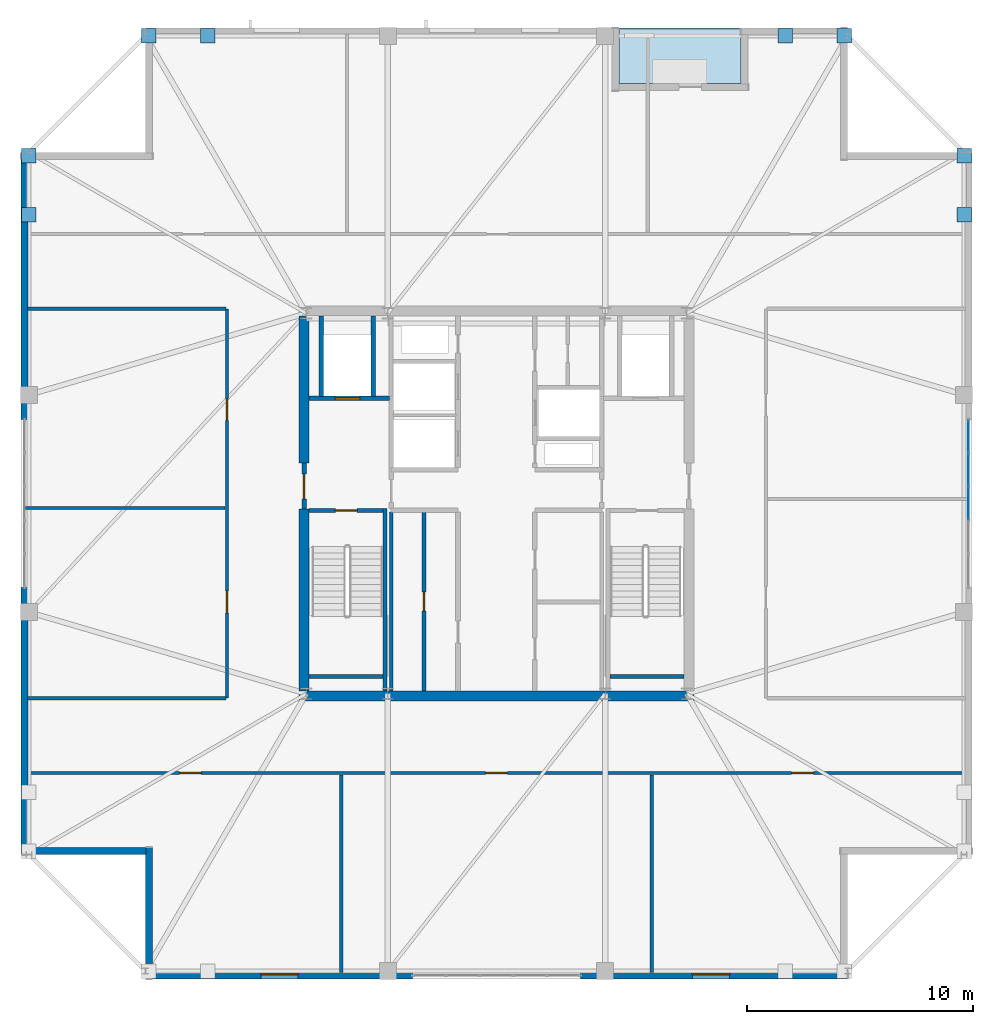
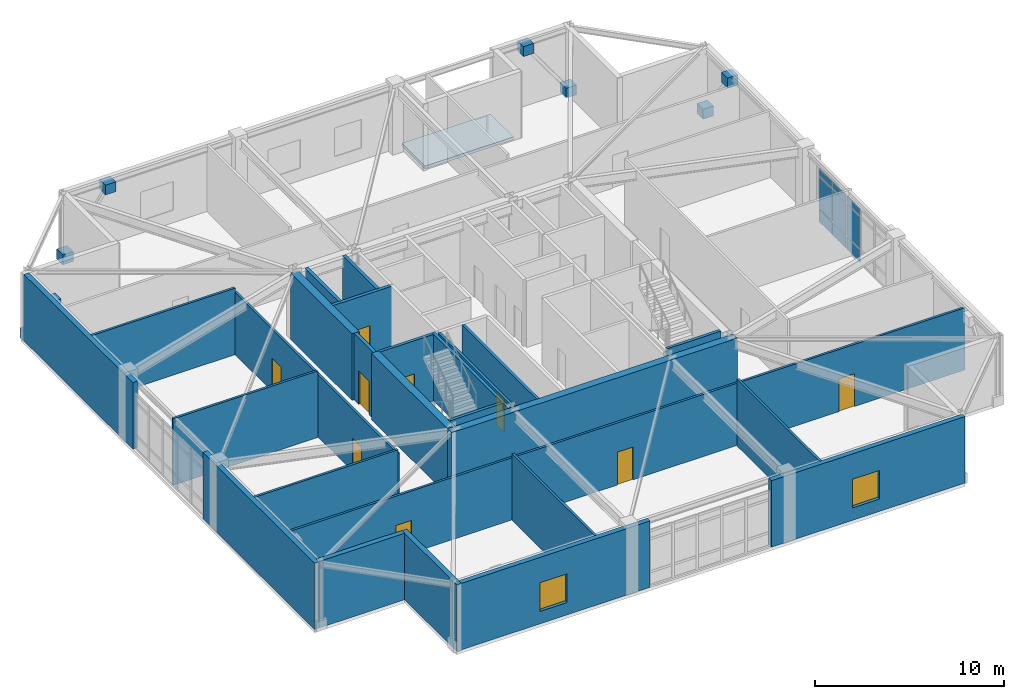
# One storey, part 11 of 16: 26 walls, 17 plates, 9 doors, 2 windows, 1 slab, 11 openings, 1 element without a shape of its own.
"""IFC4 building model written with IfcOpenShell, lengths in metres."""

from ifc_helpers import new_model, si_unit, direction, frame, frame_2d, origin, origin_2d, place, context, subcontext, project, spatial, polyline, rectangle, outline, extrude, material, layer, layer_set, type_object, element, fill, aggregate, save


model = new_model("IFC4")

# Units and contexts
model_context = context("Model", 3, precision=1e-05, world=origin(), true_north=direction((0.0, 1.0)))
body_context = subcontext(model_context, "Body", "Model", "MODEL_VIEW")
ifc_project = project(units=[si_unit("LENGTHUNIT", "METRE"), si_unit("AREAUNIT", "SQUARE_METRE"), si_unit("VOLUMEUNIT", "CUBIC_METRE"), si_unit("PLANEANGLEUNIT", "RADIAN"), si_unit("MASSUNIT", "GRAM", prefix="KILO")], contexts=[model_context])

# Site, building, storey
site_placement = place(None, origin())
site = spatial("IfcSite", under=ifc_project, at=site_placement, CompositionType="ELEMENT")
building_placement = place(site_placement, origin())
building = spatial("IfcBuilding", under=site, at=building_placement, Name="Cairnveth Concourse Tower", CompositionType="ELEMENT")
storey_placement = place(building_placement, frame((0.0, 0.0, 315.5)))
storey = spatial("IfcBuildingStorey", under=building, at=storey_placement, Name="L87", CompositionType="ELEMENT", Elevation=315.5)

# Curtain wall, plates
ifc_material_1 = material(Name="Architectural Bronze Anodised Aluminium 6063-T6", Category="aluminium")
ifc_layer_1 = layer(ifc_material_1, 0.300048828125)
ifc_layer_set_1 = layer_set([ifc_layer_1], Name="Architectural Bronze Anodised Aluminium 6063-T6")
curtain_wall_type = type_object("IfcCurtainWallType", Name="OBSERVATION HORIZON CURTAIN WALL", PredefinedType="USERDEFINED", material=ifc_layer_set_1)
curtain_wall_placement = place(storey_placement, origin())
curtain_wall = element("IfcCurtainWall", 1, at=curtain_wall_placement, inside=storey, type_object=curtain_wall_type, Name="Curtain Wall CW-L87-F3", ObjectType="UNITISED FACADE", PredefinedType="USERDEFINED")
ifc_material_2 = material(Name="Double Glazed Low-E Clear Glass", Category="glass")
ifc_layer_2 = layer(ifc_material_2, 0.028076171875)
ifc_layer_set_2 = layer_set([ifc_layer_2], Name="Double Glazed Low-E Clear Glass")
plate_type_1 = type_object("IfcPlateType", Name="DOUBLE GLAZED LOW-E CURTAIN PANEL 28", PredefinedType="CURTAIN_PANEL", material=ifc_layer_set_2)
plate_1_placement = place(storey_placement, frame((72.85009765625, 41.955810546875, 0.06494140625), z_axis=(0.0, 0.0, 1.0), x_axis=(0.0, -1.0, 0.0)))
plate_1 = element("IfcPlate", 2, at=plate_1_placement, type_object=plate_type_1, Name="CWS5 panel 1.1", PredefinedType="CURTAIN_PANEL", context=body_context, shape_type="SweptSolid", body=[
    extrude(rectangle(XDim=1.388427734375, YDim=0.028076171875, at=origin_2d()), origin(), (0.0, 0.0, 1.0), 0.802490234375),
])
plate_2_placement = place(storey_placement, frame((72.85009765625, 41.955810546875, 0.9326171875), z_axis=(0.0, 0.0, 1.0), x_axis=(0.0, -1.0, 0.0)))
plate_2 = element("IfcPlate", 3, at=plate_2_placement, type_object=plate_type_1, Name="CWS5 panel 1.2", PredefinedType="CURTAIN_PANEL", context=body_context, shape_type="SweptSolid", body=[
    extrude(rectangle(XDim=1.388427734375, YDim=0.028076171875, at=origin_2d()), origin(), (0.0, 0.0, 1.0), 2.06298828125),
])
plate_3_placement = place(storey_placement, frame((72.85009765625, 41.955810546875, 3.060546875), z_axis=(0.0, 0.0, 1.0), x_axis=(0.0, -1.0, 0.0)))
plate_3 = element("IfcPlate", 4, at=plate_3_placement, type_object=plate_type_1, Name="CWS5 panel 1.3", PredefinedType="CURTAIN_PANEL", context=body_context, shape_type="SweptSolid", body=[
    extrude(rectangle(XDim=1.388427734375, YDim=0.028076171875, at=origin_2d()), origin(), (0.0, 0.0, 1.0), 0.452392578125),
])
plate_4_placement = place(storey_placement, frame((72.85009765625, 40.486083984375, 0.06494140625), z_axis=(0.0, 0.0, 1.0), x_axis=(0.0, -1.0, 0.0)))
plate_4 = element("IfcPlate", 5, at=plate_4_placement, type_object=plate_type_1, Name="CWS5 panel 2.1", PredefinedType="CURTAIN_PANEL", context=body_context, shape_type="SweptSolid", body=[
    extrude(rectangle(XDim=1.4208984375, YDim=0.028076171875, at=origin_2d()), origin(), (0.0, 0.0, 1.0), 0.802490234375),
])
plate_5_placement = place(storey_placement, frame((72.85009765625, 40.486083984375, 0.9326171875), z_axis=(0.0, 0.0, 1.0), x_axis=(0.0, -1.0, 0.0)))
plate_5 = element("IfcPlate", 6, at=plate_5_placement, type_object=plate_type_1, Name="CWS5 panel 2.2", PredefinedType="CURTAIN_PANEL", context=body_context, shape_type="SweptSolid", body=[
    extrude(rectangle(XDim=1.4208984375, YDim=0.028076171875, at=origin_2d()), origin(), (0.0, 0.0, 1.0), 2.06298828125),
])
plate_6_placement = place(storey_placement, frame((72.85009765625, 40.486083984375, 3.060546875), z_axis=(0.0, 0.0, 1.0), x_axis=(0.0, -1.0, 0.0)))
plate_6 = element("IfcPlate", 7, at=plate_6_placement, type_object=plate_type_1, Name="CWS5 panel 2.3", PredefinedType="CURTAIN_PANEL", context=body_context, shape_type="SweptSolid", body=[
    extrude(rectangle(XDim=1.4208984375, YDim=0.028076171875, at=origin_2d()), origin(), (0.0, 0.0, 1.0), 0.452392578125),
])
plate_7_placement = place(storey_placement, frame((72.85009765625, 39.0, 0.06494140625), z_axis=(0.0, 0.0, 1.0), x_axis=(0.0, -1.0, 0.0)))
plate_7 = element("IfcPlate", 8, at=plate_7_placement, type_object=plate_type_1, Name="CWS5 panel 3.1", PredefinedType="CURTAIN_PANEL", context=body_context, shape_type="SweptSolid", body=[
    extrude(rectangle(XDim=1.4208984375, YDim=0.028076171875, at=origin_2d()), origin(), (0.0, 0.0, 1.0), 0.802490234375),
])
plate_8_placement = place(storey_placement, frame((72.85009765625, 39.0, 0.9326171875), z_axis=(0.0, 0.0, 1.0), x_axis=(0.0, -1.0, 0.0)))
plate_8 = element("IfcPlate", 9, at=plate_8_placement, type_object=plate_type_1, Name="CWS5 panel 3.2", PredefinedType="CURTAIN_PANEL", context=body_context, shape_type="SweptSolid", body=[
    extrude(rectangle(XDim=1.4208984375, YDim=0.028076171875, at=origin_2d()), origin(), (0.0, 0.0, 1.0), 2.06298828125),
])
plate_9_placement = place(storey_placement, frame((72.85009765625, 39.0, 3.060546875), z_axis=(0.0, 0.0, 1.0), x_axis=(0.0, -1.0, 0.0)))
plate_9 = element("IfcPlate", 10, at=plate_9_placement, type_object=plate_type_1, Name="CWS5 panel 3.3", PredefinedType="CURTAIN_PANEL", context=body_context, shape_type="SweptSolid", body=[
    extrude(rectangle(XDim=1.4208984375, YDim=0.028076171875, at=origin_2d()), origin(), (0.0, 0.0, 1.0), 0.452392578125),
])
aggregate(curtain_wall, [plate_1, plate_2, plate_3, plate_4, plate_5, plate_6, plate_7, plate_8, plate_9])

# Plates
ifc_material_3 = material(Name="Steel Grade 350", Category="steel")
ifc_layer_3 = layer(ifc_material_3, 0.031982421875)
ifc_layer_set_3 = layer_set([ifc_layer_3], Name="Steel Grade 350")
plate_type_2 = type_object("IfcPlateType", Name="PERIMETER BRACE GUSSET PLATE 32", PredefinedType="USERDEFINED", material=ifc_layer_set_3)
for number, where, z_axis, x_axis, name in (
    (11, (36.64990234375, 59.64990234375, -0.06982421875), (0.0, 0.0, 1.0), (1.0, 0.0, 0.0), "Structural Node Plate 1533 L87"),
    (12, (39.25, 59.64990234375, 3.52001953125), (0.0, 0.0, 1.0), (1.0, 0.0, 0.0), "Structural Node Plate 1534 L87"),
    (13, (67.35009765625, 59.64990234375, -0.06982421875), (0.0, 0.0, 1.0), (1.0, 0.0, 0.0), "Structural Node Plate 1535 L87"),
    (14, (64.75, 59.64990234375, 3.52001953125), (0.0, 0.0, 1.0), (1.0, 0.0, 0.0), "Structural Node Plate 1536 L87"),
    (15, (31.35009765625, 54.35009765625, -0.06982421875), (0.0, 0.0, 1.0), (1.0, 0.0, 0.0), "Structural Node Plate 1539 L87"),
    (16, (31.35009765625, 51.75, 3.52001953125), (0.0, 0.0, 1.0), (1.0, 0.0, 0.0), "Structural Node Plate 1540 L87"),
    (17, (72.64990234375, 54.35009765625, -0.06982421875), (0.0, 0.0, 1.0), (1.0, 0.0, 0.0), "Structural Node Plate 1543 L87"),
    (18, (72.64990234375, 51.75, 3.52001953125), (0.0, 0.0, 1.0), (1.0, 0.0, 0.0), "Structural Node Plate 1544 L87"),
):
    element("IfcPlate", number, at=place(storey_placement, frame(where, z_axis=z_axis, x_axis=x_axis)), inside=storey, type_object=plate_type_2, Name=name, ObjectType="GUSSET PLATE", PredefinedType="USERDEFINED", context=body_context, shape_type="SweptSolid", body=[
        extrude(rectangle(XDim=0.639892578125, YDim=0.639892578125, at=origin_2d()), origin(), (0.0, 0.0, 1.0), 0.639892578125),
    ])

# Slab
ifc_material_4 = material(Name="Concrete N50 (50 MPa)", Category="concrete")
ifc_layer_4 = layer(ifc_material_4, 0.18994140625)
ifc_layer_set_4 = layer_set([ifc_layer_4], Name="Concrete N50 (50 MPa)")
slab_type = type_object("IfcSlabType", Name="SPIRAL OUTDOOR TERRACE SLAB 190", PredefinedType="FLOOR", material=ifc_layer_set_4)
slab_placement = place(storey_placement, frame((0.0, 0.0, -0.18994140625)))
element("IfcSlab", 19, at=slab_placement, inside=storey, type_object=slab_type, Name="Spiral Terrace Slab L87", PredefinedType="FLOOR", context=body_context, shape_type="SweptSolid", body=[
    extrude(outline(polyline([(57.39990234375, 57.550048828125), (62.800048828125, 57.550048828125), (62.800048828125, 60.0), (57.39990234375, 60.0), (57.39990234375, 57.550048828125)])), origin(), (0.0, 0.0, 1.0), 0.18994140625),
])

# Wall
ifc_material_5 = material(Name="Gypsum Plasterboard Partition", Category="gypsum")
ifc_layer_5 = layer(ifc_material_5, 0.159912109375)
ifc_layer_set_5 = layer_set([ifc_layer_5], Name="Gypsum Plasterboard Partition")
wall_type_1 = type_object("IfcWallType", Name="ACOUSTIC PARTY WALL 180", PredefinedType="PARTITIONING", material=ifc_layer_set_5)
wall_1_placement = place(storey_placement, frame((47.35009765625, 30.7099609375, 0.0), z_axis=(0.0, 0.0, 1.0), x_axis=(0.0, 1.0, 0.0)))
element("IfcWall", 20, at=wall_1_placement, inside=storey, type_object=wall_type_1, Name="Interior Wall IW-L87-025", PredefinedType="PARTITIONING", context=body_context, shape_type="SweptSolid", body=[
    extrude(rectangle(XDim=7.905029296875, YDim=0.159912109375, at=frame_2d((3.95263671875, 0.0))), origin(), (0.0, 0.0, 1.0), 4.2900390625),
])

# Wall, opening, door
wall_2_placement = place(storey_placement, frame((48.800048828125, 30.7099609375, 0.0), z_axis=(0.0, 0.0, 1.0), x_axis=(0.0, 1.0, 0.0)))
wall_2 = element("IfcWall", 21, at=wall_2_placement, inside=storey, type_object=wall_type_1, Name="Interior Wall IW-L87-026", PredefinedType="PARTITIONING", context=body_context, shape_type="SweptSolid", body=[
    extrude(rectangle(XDim=7.905029296875, YDim=0.159912109375, at=frame_2d((3.95263671875, 0.0))), origin(), (0.0, 0.0, 1.0), 4.2900390625),
])
opening_1_placement = place(wall_2_placement, frame((3.5400390625, 0.0, 0.0)))
opening_1 = element("IfcOpeningElement", 22, at=opening_1_placement, cuts=wall_2, Name="Opening ID19", PredefinedType="OPENING", context=body_context, shape_type="SweptSolid", body=[
    extrude(rectangle(XDim=0.85009765625, YDim=2.1201171875, at=frame_2d((0.425048828125, 1.06005859375))), frame((0.0, 0.08984375, 0.0), z_axis=(0.0, -1.0, 0.0), x_axis=(1.0, 0.0, 0.0)), (0.0, 0.0, 1.0), 0.179931640625),
])
door_type_1 = type_object("IfcDoorType", Name="CORE SERVICE DOOR 850X2100", OperationType="NOTDEFINED", PredefinedType="DOOR", material=ifc_material_3)
door_1_placement = place(opening_1_placement, origin())
door_1 = element("IfcDoor", 23, at=door_1_placement, inside=storey, type_object=door_type_1, Name="Inner Store Door L87", OperationType="SINGLE_SWING_RIGHT", OverallHeight=2.1201171875, OverallWidth=0.85009765625, PredefinedType="DOOR", context=body_context, shape_type="SweptSolid", body=[
    extrude(rectangle(XDim=0.85009765625, YDim=2.1201171875, at=frame_2d((0.425048828125, 1.06005859375))), frame((0.0, 0.02490234375, 0.0), z_axis=(0.0, -1.0, 0.0), x_axis=(1.0, 0.0, 0.0)), (0.0, 0.0, 1.0), 0.050048828125),
])
fill(opening_1, door_1)

# Walls
ifc_material_6 = material(Name="Concrete N65 (65 MPa)", Category="concrete")
ifc_layer_6 = layer(ifc_material_6, 0.449951171875)
ifc_layer_set_6 = layer_set([ifc_layer_6], Name="Concrete N65 (65 MPa)")
wall_type_2 = type_object("IfcWallType", Name="CORE SHEAR WALL 450", PredefinedType="SHEAR", material=ifc_layer_set_6)
wall_3_placement = place(storey_placement, frame((43.27490234375, 30.5, 0.0), z_axis=(0.0, 0.0, 1.0), x_axis=(1.0, 0.0, 0.0)))
element("IfcWall", 24, at=wall_3_placement, inside=storey, type_object=wall_type_2, Name="Core South Shear Wall L87", PredefinedType="SHEAR", context=body_context, shape_type="SweptSolid", body=[
    extrude(rectangle(XDim=17.4501953125, YDim=0.449951171875, at=frame_2d((8.72509765625, 0.0))), origin(), (0.0, 0.0, 1.0), 4.2900390625),
])
wall_4_placement = place(storey_placement, frame((43.5, 30.715087890625, 0.0), z_axis=(0.0, 0.0, 1.0), x_axis=(0.0, 1.0, 0.0)))
element("IfcWall", 25, at=wall_4_placement, inside=storey, type_object=wall_type_2, Name="Core West Shear Wall S L87", PredefinedType="SHEAR", context=body_context, shape_type="SweptSolid", body=[
    extrude(rectangle(XDim=8.034912109375, YDim=0.449951171875, at=frame_2d((4.017578125, 0.0))), origin(), (0.0, 0.0, 1.0), 4.2900390625),
])
wall_5_placement = place(storey_placement, frame((43.5, 40.800048828125, 0.0), z_axis=(0.0, 0.0, 1.0), x_axis=(0.0, 1.0, 0.0)))
element("IfcWall", 26, at=wall_5_placement, inside=storey, type_object=wall_type_2, Name="Core West Shear Wall N L87", PredefinedType="SHEAR", context=body_context, shape_type="SweptSolid", body=[
    extrude(rectangle(XDim=6.48486328125, YDim=0.449951171875, at=frame_2d((3.242431640625, 0.0))), origin(), (0.0, 0.0, 1.0), 4.2900390625),
])

# Wall, opening, door
ifc_layer_7 = layer(ifc_material_4, 0.179931640625)
ifc_layer_set_7 = layer_set([ifc_layer_7], Name="Concrete N50 (50 MPa)")
wall_type_3 = type_object("IfcWallType", Name="FIRE SHAFT WALL 180", PredefinedType="SOLIDWALL", material=ifc_layer_set_7)
wall_6_placement = place(storey_placement, frame((43.715087890625, 38.68994140625, 0.0), z_axis=(0.0, 0.0, 1.0), x_axis=(1.0, 0.0, 0.0)))
wall_6 = element("IfcWall", 27, at=wall_6_placement, inside=storey, type_object=wall_type_3, Name="Stair ST-1 Shaft Wall NEAR L87", PredefinedType="SOLIDWALL", context=body_context, shape_type="SweptSolid", body=[
    extrude(rectangle(XDim=3.280029296875, YDim=0.179931640625, at=frame_2d((1.64013671875, 0.0))), origin(), (0.0, 0.0, 1.0), 4.2900390625),
])
opening_2_placement = place(wall_6_placement, frame((1.1650390625, 0.0, 0.0)))
opening_2 = element("IfcOpeningElement", 28, at=opening_2_placement, cuts=wall_6, Name="Opening ID12", PredefinedType="OPENING", context=body_context, shape_type="SweptSolid", body=[
    extrude(rectangle(XDim=0.949951171875, YDim=2.14990234375, at=frame_2d((0.47509765625, 1.074951171875))), frame((0.0, 0.099853515625, 0.0), z_axis=(0.0, -1.0, 0.0), x_axis=(1.0, 0.0, 0.0)), (0.0, 0.0, 1.0), 0.199951171875),
])
door_type_2 = type_object("IfcDoorType", Name="FIRE STAIR DOOR 950X2150", OperationType="NOTDEFINED", PredefinedType="DOOR", material=ifc_material_3)
door_2_placement = place(opening_2_placement, origin())
door_2 = element("IfcDoor", 29, at=door_2_placement, inside=storey, type_object=door_type_2, Name="Stair ST-1 Fire Door L87", OperationType="SINGLE_SWING_LEFT", OverallHeight=2.14990234375, OverallWidth=0.949951171875, PredefinedType="DOOR", context=body_context, shape_type="SweptSolid", body=[
    extrude(rectangle(XDim=0.949951171875, YDim=2.14990234375, at=frame_2d((0.47509765625, 1.074951171875))), frame((0.0, 0.02490234375, 0.0), z_axis=(0.0, -1.0, 0.0), x_axis=(1.0, 0.0, 0.0)), (0.0, 0.0, 1.0), 0.050048828125),
])
fill(opening_2, door_2)

# Walls
wall_7_placement = place(storey_placement, frame((43.715087890625, 31.360107421875, 0.0), z_axis=(0.0, 0.0, 1.0), x_axis=(1.0, 0.0, 0.0)))
element("IfcWall", 30, at=wall_7_placement, inside=storey, type_object=wall_type_3, Name="Stair ST-1 Shaft Wall FAR L87", PredefinedType="SOLIDWALL", context=body_context, shape_type="SweptSolid", body=[
    extrude(rectangle(XDim=3.280029296875, YDim=0.179931640625, at=frame_2d((1.64013671875, 0.0))), origin(), (0.0, 0.0, 1.0), 4.2900390625),
])
wall_8_placement = place(storey_placement, frame((47.070068359375, 38.780029296875, 0.0), z_axis=(0.0, 0.0, 1.0), x_axis=(0.0, -1.0, 0.0)))
element("IfcWall", 31, at=wall_8_placement, inside=storey, type_object=wall_type_3, Name="Stair ST-1 Shaft Wall RGHT L87", PredefinedType="SOLIDWALL", context=body_context, shape_type="SweptSolid", body=[
    extrude(rectangle(XDim=8.067138671875, YDim=0.179931640625, at=frame_2d((4.03369140625, 0.0))), origin(), (0.0, 0.0, 1.0), 4.2900390625),
])
wall_9_placement = place(storey_placement, frame((57.0048828125, 31.360107421875, 0.0), z_axis=(0.0, 0.0, 1.0), x_axis=(1.0, 0.0, 0.0)))
element("IfcWall", 32, at=wall_9_placement, inside=storey, type_object=wall_type_3, Name="Stair ST-2 Shaft Wall FAR L87", PredefinedType="SOLIDWALL", context=body_context, shape_type="SweptSolid", body=[
    extrude(rectangle(XDim=3.280029296875, YDim=0.179931640625, at=frame_2d((1.64013671875, 0.0))), origin(), (0.0, 0.0, 1.0), 4.2900390625),
])

# Wall, opening, door
ifc_layer_8 = layer(ifc_material_4, 0.199951171875)
ifc_layer_set_8 = layer_set([ifc_layer_8], Name="Concrete N50 (50 MPa)")
wall_type_4 = type_object("IfcWallType", Name="FIRE SHAFT WALL 200", PredefinedType="SOLIDWALL", material=ifc_layer_set_8)
wall_10_placement = place(storey_placement, frame((43.5, 38.75, 0.0), z_axis=(0.0, 0.0, 1.0), x_axis=(0.0, 1.0, 0.0)))
wall_10 = element("IfcWall", 33, at=wall_10_placement, inside=storey, type_object=wall_type_4, Name="Interior Wall IW-L87-015", PredefinedType="SOLIDWALL", context=body_context, shape_type="SweptSolid", body=[
    extrude(rectangle(XDim=2.050048828125, YDim=0.199951171875, at=frame_2d((1.02490234375, 0.0))), origin(), (0.0, 0.0, 1.0), 4.2900390625),
])
opening_3_placement = place(wall_10_placement, frame((0.449951171875, 0.0, 0.0)))
opening_3 = element("IfcOpeningElement", 34, at=opening_3_placement, cuts=wall_10, Name="Opening ID06", PredefinedType="OPENING", context=body_context, shape_type="SweptSolid", body=[
    extrude(rectangle(XDim=1.10009765625, YDim=2.14990234375, at=frame_2d((0.550048828125, 1.074951171875))), frame((0.0, 0.10986328125, 0.0), z_axis=(0.0, -1.0, 0.0), x_axis=(1.0, 0.0, 0.0)), (0.0, 0.0, 1.0), 0.219970703125),
])
door_type_3 = type_object("IfcDoorType", Name="FIRE CORRIDOR DOOR 1100X2150", OperationType="NOTDEFINED", PredefinedType="DOOR", material=ifc_material_3)
door_3_placement = place(opening_3_placement, origin())
door_3 = element("IfcDoor", 35, at=door_3_placement, inside=storey, type_object=door_type_3, Name="West Wing to FF Lobby Door L87", OperationType="SINGLE_SWING_LEFT", OverallHeight=2.14990234375, OverallWidth=1.10009765625, PredefinedType="DOOR", context=body_context, shape_type="SweptSolid", body=[
    extrude(rectangle(XDim=1.10009765625, YDim=2.14990234375, at=frame_2d((0.550048828125, 1.074951171875))), frame((0.0, 0.02490234375, 0.0), z_axis=(0.0, -1.0, 0.0), x_axis=(1.0, 0.0, 0.0)), (0.0, 0.0, 1.0), 0.050048828125),
])
fill(opening_3, door_3)

wall_11_placement = place(storey_placement, frame((43.7099609375, 43.64990234375, 0.0), z_axis=(0.0, 0.0, 1.0), x_axis=(1.0, 0.0, 0.0)))
wall_11 = element("IfcWall", 36, at=wall_11_placement, inside=storey, type_object=wall_type_4, Name="Interior Wall IW-L87-017", PredefinedType="SOLIDWALL", context=body_context, shape_type="SweptSolid", body=[
    extrude(rectangle(XDim=3.554931640625, YDim=0.199951171875, at=frame_2d((1.77734375, 0.0))), origin(), (0.0, 0.0, 1.0), 4.2900390625),
])
opening_4_placement = place(wall_11_placement, frame((1.159912109375, 0.0, 0.0)))
opening_4 = element("IfcOpeningElement", 37, at=opening_4_placement, cuts=wall_11, Name="Opening LD-1", PredefinedType="OPENING", context=body_context, shape_type="SweptSolid", body=[
    extrude(rectangle(XDim=1.10009765625, YDim=2.199951171875, at=frame_2d((0.550048828125, 1.10009765625))), frame((0.0, 0.10986328125, 0.0), z_axis=(0.0, -1.0, 0.0), x_axis=(1.0, 0.0, 0.0)), (0.0, 0.0, 1.0), 0.219970703125),
])
door_type_4 = type_object("IfcDoorType", Name="LIFT LANDING DOOR 1100X2200", OperationType="SLIDING_TO_LEFT", PredefinedType="DOOR", material=ifc_material_1)
door_4_placement = place(opening_4_placement, origin())
door_4 = element("IfcDoor", 38, at=door_4_placement, inside=storey, type_object=door_type_4, Name="Lift FFL1 Landing Door L87", OperationType="SLIDING_TO_LEFT", OverallHeight=2.199951171875, OverallWidth=1.10009765625, PredefinedType="DOOR", context=body_context, shape_type="SweptSolid", body=[
    extrude(rectangle(XDim=1.10009765625, YDim=2.199951171875, at=frame_2d((0.550048828125, 1.10009765625))), frame((0.0, 0.02490234375, 0.0), z_axis=(0.0, -1.0, 0.0), x_axis=(1.0, 0.0, 0.0)), (0.0, 0.0, 1.0), 0.050048828125),
])
fill(opening_4, door_4)

# Walls
for number, where, z_axis, x_axis, name in (
    (39, (46.550048828125, 43.735107421875, 0.0), (0.0, 0.0, 1.0), (0.0, 1.0, 0.0), "Interior Wall IW-L87-018"),
    (40, (44.25, 43.735107421875, 0.0), (0.0, 0.0, 1.0), (0.0, 1.0, 0.0), "Interior Wall IW-L87-019"),
):
    element("IfcWall", number, at=place(storey_placement, frame(where, z_axis=z_axis, x_axis=x_axis)), inside=storey, type_object=wall_type_4, Name=name, PredefinedType="SOLIDWALL", context=body_context, shape_type="SweptSolid", body=[
        extrude(rectangle(XDim=3.554931640625, YDim=0.199951171875, at=frame_2d((1.77734375, 0.0))), origin(), (0.0, 0.0, 1.0), 4.2900390625),
    ])

# Wall, openings, doors
ifc_layer_9 = layer(ifc_material_5, 0.139892578125)
ifc_layer_set_9 = layer_set([ifc_layer_9], Name="Gypsum Plasterboard Partition")
wall_type_5 = type_object("IfcWallType", Name="GYPSUM STUD PARTITION 140", PredefinedType="PARTITIONING", material=ifc_layer_set_9)
wall_12_placement = place(storey_placement, frame((31.284912109375, 27.10009765625, 0.0), z_axis=(0.0, 0.0, 1.0), x_axis=(1.0, 0.0, 0.0)))
wall_12 = element("IfcWall", 41, at=wall_12_placement, inside=storey, type_object=wall_type_5, Name="Interior Wall IW-L87-036", PredefinedType="PARTITIONING", context=body_context, shape_type="SweptSolid", body=[
    extrude(rectangle(XDim=41.43017578125, YDim=0.139892578125, at=frame_2d((20.715087890625, 0.0))), origin(), (0.0, 0.0, 1.0), 4.009033203125),
])
opening_5_placement = place(wall_12_placement, frame((6.715087890625, 0.0, 0.0)))
opening_5 = element("IfcOpeningElement", 42, at=opening_5_placement, cuts=wall_12, Name="Opening ID11", PredefinedType="OPENING", context=body_context, shape_type="SweptSolid", body=[
    extrude(rectangle(XDim=0.9599609375, YDim=2.1201171875, at=frame_2d((0.47998046875, 1.06005859375))), frame((0.0, 0.079833984375, 0.0), z_axis=(0.0, -1.0, 0.0), x_axis=(1.0, 0.0, 0.0)), (0.0, 0.0, 1.0), 0.159912109375),
])
opening_6_placement = place(wall_12_placement, frame((20.235107421875, 0.0, 0.0)))
opening_6 = element("IfcOpeningElement", 43, at=opening_6_placement, cuts=wall_12, Name="Opening ID11", PredefinedType="OPENING", context=body_context, shape_type="SweptSolid", body=[
    extrude(rectangle(XDim=0.9599609375, YDim=2.1201171875, at=frame_2d((0.47998046875, 1.06005859375))), frame((0.0, 0.079833984375, 0.0), z_axis=(0.0, -1.0, 0.0), x_axis=(1.0, 0.0, 0.0)), (0.0, 0.0, 1.0), 0.159912109375),
])
opening_7_placement = place(wall_12_placement, frame((33.7548828125, 0.0, 0.0)))
opening_7 = element("IfcOpeningElement", 44, at=opening_7_placement, cuts=wall_12, Name="Opening ID11", PredefinedType="OPENING", context=body_context, shape_type="SweptSolid", body=[
    extrude(rectangle(XDim=0.9599609375, YDim=2.1201171875, at=frame_2d((0.47998046875, 1.06005859375))), frame((0.0, 0.079833984375, 0.0), z_axis=(0.0, -1.0, 0.0), x_axis=(1.0, 0.0, 0.0)), (0.0, 0.0, 1.0), 0.159912109375),
])
ifc_material_7 = material(Name="Solid Core Hardwood Timber Leaf", Category="wood")
door_type_5 = type_object("IfcDoorType", Name="INTERIOR SINGLE DOOR 960X2150", OperationType="NOTDEFINED", PredefinedType="DOOR", material=ifc_material_7)
door_5_placement = place(opening_5_placement, origin())
door_5 = element("IfcDoor", 45, at=door_5_placement, inside=storey, type_object=door_type_5, Name="Office Door L87-S1", OperationType="SINGLE_SWING_RIGHT", OverallHeight=2.1201171875, OverallWidth=0.9599609375, PredefinedType="DOOR", context=body_context, shape_type="SweptSolid", body=[
    extrude(rectangle(XDim=0.9599609375, YDim=2.1201171875, at=frame_2d((0.47998046875, 1.06005859375))), frame((0.0, 0.02490234375, 0.0), z_axis=(0.0, -1.0, 0.0), x_axis=(1.0, 0.0, 0.0)), (0.0, 0.0, 1.0), 0.050048828125),
])
fill(opening_5, door_5)
door_6_placement = place(opening_6_placement, origin())
door_6 = element("IfcDoor", 46, at=door_6_placement, inside=storey, type_object=door_type_5, Name="Office Door L87-S2", OperationType="SINGLE_SWING_LEFT", OverallHeight=2.1201171875, OverallWidth=0.9599609375, PredefinedType="DOOR", context=body_context, shape_type="SweptSolid", body=[
    extrude(rectangle(XDim=0.9599609375, YDim=2.1201171875, at=frame_2d((0.47998046875, 1.06005859375))), frame((0.0, 0.02490234375, 0.0), z_axis=(0.0, -1.0, 0.0), x_axis=(1.0, 0.0, 0.0)), (0.0, 0.0, 1.0), 0.050048828125),
])
fill(opening_6, door_6)
door_7_placement = place(opening_7_placement, origin())
door_7 = element("IfcDoor", 47, at=door_7_placement, inside=storey, type_object=door_type_5, Name="Office Door L87-S3", OperationType="SINGLE_SWING_RIGHT", OverallHeight=2.1201171875, OverallWidth=0.9599609375, PredefinedType="DOOR", context=body_context, shape_type="SweptSolid", body=[
    extrude(rectangle(XDim=0.9599609375, YDim=2.1201171875, at=frame_2d((0.47998046875, 1.06005859375))), frame((0.0, 0.02490234375, 0.0), z_axis=(0.0, -1.0, 0.0), x_axis=(1.0, 0.0, 0.0)), (0.0, 0.0, 1.0), 0.050048828125),
])
fill(opening_7, door_7)

wall_13_placement = place(storey_placement, frame((40.10009765625, 30.39990234375, 0.0), z_axis=(0.0, 0.0, 1.0), x_axis=(0.0, 1.0, 0.0)))
wall_13 = element("IfcWall", 48, at=wall_13_placement, inside=storey, type_object=wall_type_5, Name="Interior Wall IW-L87-038", PredefinedType="PARTITIONING", context=body_context, shape_type="SweptSolid", body=[
    extrude(rectangle(XDim=17.2001953125, YDim=0.139892578125, at=frame_2d((8.60009765625, 0.0))), origin(), (0.0, 0.0, 1.0), 4.009033203125),
])
opening_8_placement = place(wall_13_placement, frame((3.7724609375, 0.0, 0.0)))
opening_8 = element("IfcOpeningElement", 49, at=opening_8_placement, cuts=wall_13, Name="Opening ID11", PredefinedType="OPENING", context=body_context, shape_type="SweptSolid", body=[
    extrude(rectangle(XDim=0.9599609375, YDim=2.1201171875, at=frame_2d((0.47998046875, 1.06005859375))), frame((0.0, 0.079833984375, 0.0), z_axis=(0.0, -1.0, 0.0), x_axis=(1.0, 0.0, 0.0)), (0.0, 0.0, 1.0), 0.159912109375),
])
opening_9_placement = place(wall_13_placement, frame((12.2724609375, 0.0, 0.0)))
opening_9 = element("IfcOpeningElement", 50, at=opening_9_placement, cuts=wall_13, Name="Opening ID11", PredefinedType="OPENING", context=body_context, shape_type="SweptSolid", body=[
    extrude(rectangle(XDim=0.9599609375, YDim=2.1201171875, at=frame_2d((0.47998046875, 1.06005859375))), frame((0.0, 0.079833984375, 0.0), z_axis=(0.0, -1.0, 0.0), x_axis=(1.0, 0.0, 0.0)), (0.0, 0.0, 1.0), 0.159912109375),
])
door_8_placement = place(opening_8_placement, origin())
door_8 = element("IfcDoor", 51, at=door_8_placement, inside=storey, type_object=door_type_5, Name="Office Door L87-W1", OperationType="SINGLE_SWING_RIGHT", OverallHeight=2.1201171875, OverallWidth=0.9599609375, PredefinedType="DOOR", context=body_context, shape_type="SweptSolid", body=[
    extrude(rectangle(XDim=0.9599609375, YDim=2.1201171875, at=frame_2d((0.47998046875, 1.06005859375))), frame((0.0, 0.02490234375, 0.0), z_axis=(0.0, -1.0, 0.0), x_axis=(1.0, 0.0, 0.0)), (0.0, 0.0, 1.0), 0.050048828125),
])
fill(opening_8, door_8)
door_9_placement = place(opening_9_placement, origin())
door_9 = element("IfcDoor", 52, at=door_9_placement, inside=storey, type_object=door_type_5, Name="Office Door L87-W2", OperationType="SINGLE_SWING_LEFT", OverallHeight=2.1201171875, OverallWidth=0.9599609375, PredefinedType="DOOR", context=body_context, shape_type="SweptSolid", body=[
    extrude(rectangle(XDim=0.9599609375, YDim=2.1201171875, at=frame_2d((0.47998046875, 1.06005859375))), frame((0.0, 0.02490234375, 0.0), z_axis=(0.0, -1.0, 0.0), x_axis=(1.0, 0.0, 0.0)), (0.0, 0.0, 1.0), 0.050048828125),
])
fill(opening_9, door_9)

# Walls
for number, where, z_axis, x_axis, name in (
    (53, (31.284912109375, 30.39990234375, 0.0), (0.0, 0.0, 1.0), (1.0, 0.0, 0.0), "Interior Wall IW-L87-040"),
    (54, (31.284912109375, 47.60009765625, 0.0), (0.0, 0.0, 1.0), (1.0, 0.0, 0.0), "Interior Wall IW-L87-041"),
):
    element("IfcWall", number, at=place(storey_placement, frame(where, z_axis=z_axis, x_axis=x_axis)), inside=storey, type_object=wall_type_5, Name=name, PredefinedType="PARTITIONING", context=body_context, shape_type="SweptSolid", body=[
        extrude(rectangle(XDim=8.760009765625, YDim=0.139892578125, at=frame_2d((4.3798828125, 0.0))), origin(), (0.0, 0.0, 1.0), 4.2900390625),
    ])
for number, where, z_axis, x_axis, name in (
    (55, (45.139892578125, 18.284912109375, 0.0), (0.0, 0.0, 1.0), (0.0, 1.0, 0.0), "Interior Wall IW-L87-044"),
    (56, (58.860107421875, 18.284912109375, 0.0), (0.0, 0.0, 1.0), (0.0, 1.0, 0.0), "Interior Wall IW-L87-045"),
):
    element("IfcWall", number, at=place(storey_placement, frame(where, z_axis=z_axis, x_axis=x_axis)), inside=storey, type_object=wall_type_5, Name=name, PredefinedType="PARTITIONING", context=body_context, shape_type="SweptSolid", body=[
        extrude(rectangle(XDim=8.715087890625, YDim=0.139892578125, at=frame_2d((4.357421875, 0.0))), origin(), (0.0, 0.0, 1.0), 4.2900390625),
    ])
wall_14_placement = place(storey_placement, frame((31.169921875, 38.804931640625, 0.0), z_axis=(0.0, 0.0, 1.0), x_axis=(1.0, 0.0, 0.0)))
element("IfcWall", 57, at=wall_14_placement, inside=storey, type_object=wall_type_5, Name="Interior Wall IW-L87-048", PredefinedType="PARTITIONING", context=body_context, shape_type="SweptSolid", body=[
    extrude(rectangle(XDim=8.830078125, YDim=0.139892578125, at=frame_2d((4.4150390625, 0.0))), origin(), (0.0, 0.0, 1.0), 4.2900390625),
])

# Wall, opening, window
ifc_material_8 = material(Name="Hawthorn Red-Ochre Fired Clay Brick Masonry", Category="masonry")
ifc_layer_10 = layer(ifc_material_8, 0.300048828125)
ifc_layer_set_10 = layer_set([ifc_layer_10], Name="Hawthorn Red-Ochre Fired Clay Brick Masonry")
wall_type_6 = type_object("IfcWallType", Name="ZONE 4 BRICK PIER SPANDREL WALL 300", PredefinedType="SOLIDWALL", material=ifc_layer_set_10)
wall_15_placement = place(storey_placement, frame((67.5, 18.14990234375, 0.0), z_axis=(0.0, 0.0, 1.0), x_axis=(-1.0, 0.0, 0.0)))
wall_15 = element("IfcWall", 58, at=wall_15_placement, inside=storey, type_object=wall_type_6, Name="Exterior Wall EW-L87-S6A", PredefinedType="SOLIDWALL", context=body_context, shape_type="SweptSolid", body=[
    extrude(rectangle(XDim=11.800048828125, YDim=0.300048828125, at=frame_2d((5.89990234375, 0.0))), origin(), (0.0, 0.0, 1.0), 4.2900390625),
])
opening_10_placement = place(wall_15_placement, frame((5.199951171875, 0.0, 0.800048828125)))
opening_10 = element("IfcOpeningElement", 59, at=opening_10_placement, cuts=wall_15, Name="Opening W04", PredefinedType="OPENING", context=body_context, shape_type="SweptSolid", body=[
    extrude(rectangle(XDim=1.64990234375, YDim=1.85009765625, at=frame_2d((0.824951171875, 0.925048828125))), frame((0.0, 0.159912109375, 0.0), z_axis=(0.0, -1.0, 0.0), x_axis=(1.0, 0.0, 0.0)), (0.0, 0.0, 1.0), 0.320068359375),
])
window_type = type_object("IfcWindowType", Name="DEEP-SET GOTHIC LANCET WINDOW 1650X1850", PartitioningType="DOUBLE_PANEL_VERTICAL", PredefinedType="WINDOW", material=ifc_material_2)
window_1_placement = place(opening_10_placement, origin())
window_1 = element("IfcWindow", 60, at=window_1_placement, inside=storey, type_object=window_type, Name="WIN-L87-S6-A", OverallHeight=1.85009765625, OverallWidth=1.64990234375, PartitioningType="SINGLE_PANEL", PredefinedType="WINDOW", context=body_context, shape_type="SweptSolid", body=[
    extrude(rectangle(XDim=1.64990234375, YDim=1.85009765625, at=frame_2d((0.824951171875, 0.925048828125))), frame((0.0, -0.0400390625, 0.0), z_axis=(0.0, -1.0, 0.0), x_axis=(1.0, 0.0, 0.0)), (0.0, 0.0, 1.0), 0.06005859375),
])
fill(opening_10, window_1)

wall_16_placement = place(storey_placement, frame((48.300048828125, 18.14990234375, 0.0), z_axis=(0.0, 0.0, 1.0), x_axis=(-1.0, 0.0, 0.0)))
wall_16 = element("IfcWall", 61, at=wall_16_placement, inside=storey, type_object=wall_type_6, Name="Exterior Wall EW-L87-S6B", PredefinedType="SOLIDWALL", context=body_context, shape_type="SweptSolid", body=[
    extrude(rectangle(XDim=11.52197265625, YDim=0.300048828125, at=frame_2d((5.760986328125, 0.0))), origin(), (0.0, 0.0, 1.0), 4.2900390625),
])
opening_11_placement = place(wall_16_placement, frame((5.06103515625, 0.0, 0.800048828125)))
opening_11 = element("IfcOpeningElement", 62, at=opening_11_placement, cuts=wall_16, Name="Opening W04", PredefinedType="OPENING", context=body_context, shape_type="SweptSolid", body=[
    extrude(rectangle(XDim=1.64990234375, YDim=1.85009765625, at=frame_2d((0.824951171875, 0.925048828125))), frame((0.0, 0.159912109375, 0.0), z_axis=(0.0, -1.0, 0.0), x_axis=(1.0, 0.0, 0.0)), (0.0, 0.0, 1.0), 0.320068359375),
])
window_2_placement = place(opening_11_placement, origin())
window_2 = element("IfcWindow", 63, at=window_2_placement, inside=storey, type_object=window_type, Name="WIN-L87-S6-B", OverallHeight=1.85009765625, OverallWidth=1.64990234375, PartitioningType="SINGLE_PANEL", PredefinedType="WINDOW", context=body_context, shape_type="SweptSolid", body=[
    extrude(rectangle(XDim=1.64990234375, YDim=1.85009765625, at=frame_2d((0.824951171875, 0.925048828125))), frame((0.0, -0.0400390625, 0.0), z_axis=(0.0, -1.0, 0.0), x_axis=(1.0, 0.0, 0.0)), (0.0, 0.0, 1.0), 0.06005859375),
])
fill(opening_11, window_2)

# Walls
wall_17_placement = place(storey_placement, frame((36.64990234375, 18.0, 0.0), z_axis=(0.0, 0.0, 1.0), x_axis=(0.0, 1.0, 0.0)))
element("IfcWall", 64, at=wall_17_placement, inside=storey, type_object=wall_type_6, Name="Exterior Wall EW-L87-S07", PredefinedType="SOLIDWALL", context=body_context, shape_type="SweptSolid", body=[
    extrude(rectangle(XDim=5.800048828125, YDim=0.300048828125, at=frame_2d((2.89990234375, 0.0))), origin(), (0.0, 0.0, 1.0), 4.2900390625),
])
wall_18_placement = place(storey_placement, frame((36.52197265625, 23.64990234375, 0.0), z_axis=(0.0, 0.0, 1.0), x_axis=(-1.0, 0.0, 0.0)))
element("IfcWall", 65, at=wall_18_placement, inside=storey, type_object=wall_type_6, Name="Exterior Wall EW-L87-S08", PredefinedType="SOLIDWALL", context=body_context, shape_type="SweptSolid", body=[
    extrude(rectangle(XDim=5.243896484375, YDim=0.300048828125, at=frame_2d((2.6220703125, 0.0))), origin(), (0.0, 0.0, 1.0), 4.2900390625),
])
wall_19_placement = place(storey_placement, frame((31.14990234375, 23.5, 0.0), z_axis=(0.0, 0.0, 1.0), x_axis=(0.0, 1.0, 0.0)))
element("IfcWall", 66, at=wall_19_placement, inside=storey, type_object=wall_type_6, Name="Exterior Wall EW-L87-S9A", PredefinedType="SOLIDWALL", context=body_context, shape_type="SweptSolid", body=[
    extrude(rectangle(XDim=11.800048828125, YDim=0.300048828125, at=frame_2d((5.89990234375, 0.0))), origin(), (0.0, 0.0, 1.0), 4.2900390625),
])
wall_20_placement = place(storey_placement, frame((31.14990234375, 42.699951171875, 0.0), z_axis=(0.0, 0.0, 1.0), x_axis=(0.0, 1.0, 0.0)))
element("IfcWall", 67, at=wall_20_placement, inside=storey, type_object=wall_type_6, Name="Exterior Wall EW-L87-S9B", PredefinedType="SOLIDWALL", context=body_context, shape_type="SweptSolid", body=[
    extrude(rectangle(XDim=11.52197265625, YDim=0.300048828125, at=frame_2d((5.760986328125, 0.0))), origin(), (0.0, 0.0, 1.0), 4.2900390625),
])

save(model, "model.ifc")
